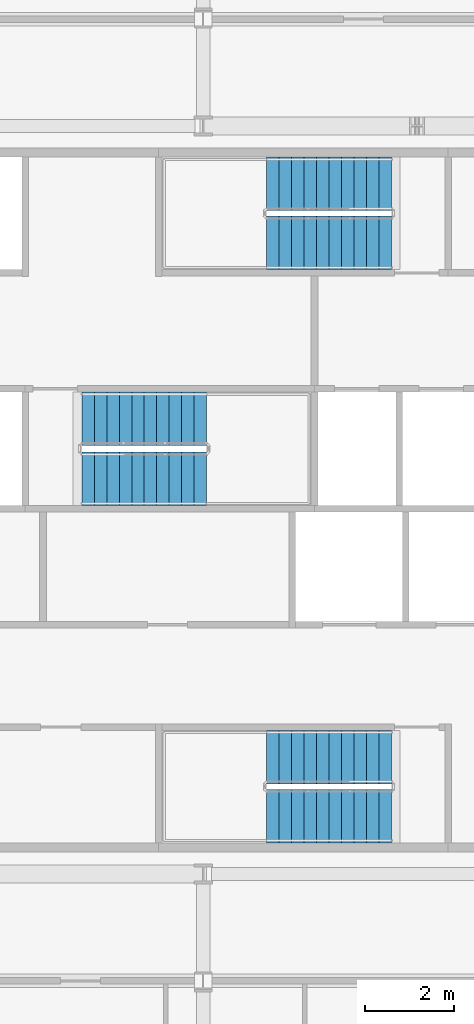
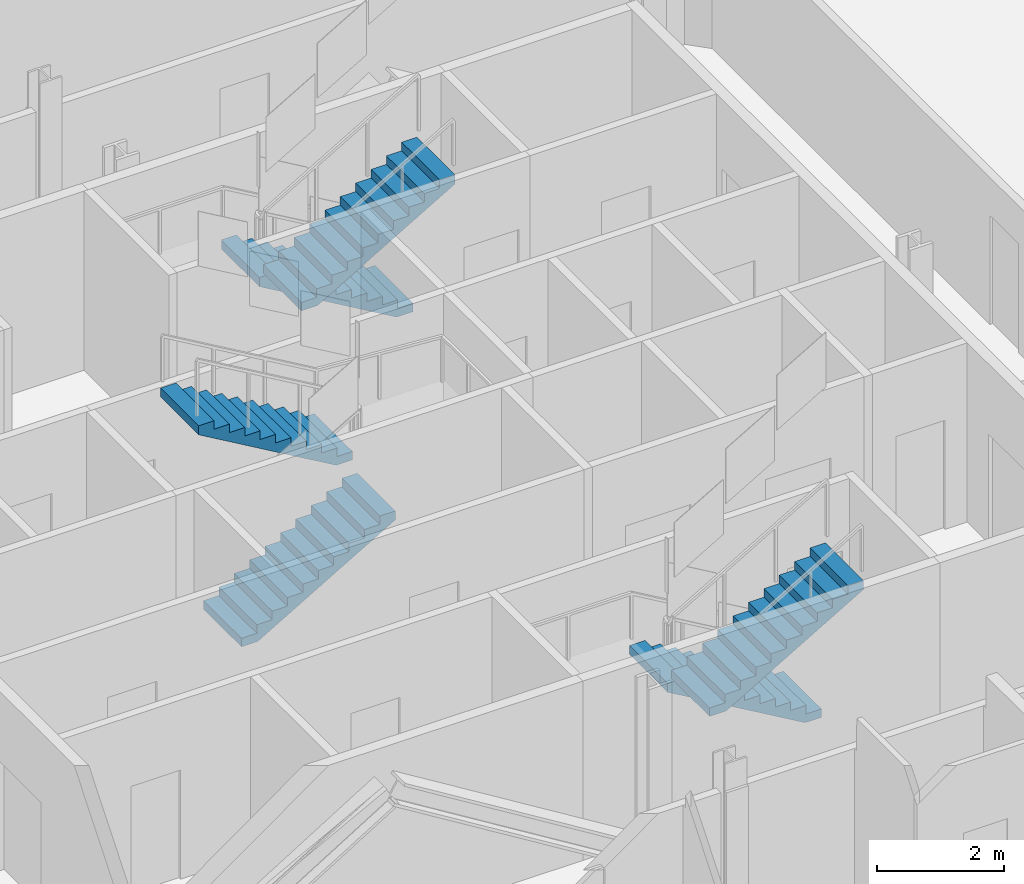
# One storey, part 14 of 20: 6 stair flights, 3 elements without a shape of their own.
"""IFC4 building model written with IfcOpenShell, lengths in metres."""

from ifc_helpers import new_model, si_unit, direction, frame, origin, place, context, subcontext, project, spatial, polyline, outline, extrude, material, type_object, element, aggregate, save


model = new_model("IFC4")

# Units and contexts
model_context = context("Model", 3, precision=1e-05, world=origin(), true_north=direction((0.0, 1.0)))
body_context = subcontext(model_context, "Body", "Model", "MODEL_VIEW")
ifc_project = project(units=[si_unit("LENGTHUNIT", "METRE"), si_unit("AREAUNIT", "SQUARE_METRE"), si_unit("VOLUMEUNIT", "CUBIC_METRE"), si_unit("PLANEANGLEUNIT", "RADIAN"), si_unit("MASSUNIT", "GRAM", prefix="KILO")], contexts=[model_context])

# Site, building, storey
site_placement = place(None, origin())
site = spatial("IfcSite", under=ifc_project, at=site_placement, CompositionType="ELEMENT")
building_placement = place(site_placement, origin())
building = spatial("IfcBuilding", under=site, at=building_placement, Name="Cairn Pilgrim Tower", CompositionType="ELEMENT")
storey_placement = place(building_placement, frame((0.0, 0.0, 165.0)))
storey = spatial("IfcBuildingStorey", under=building, at=storey_placement, Name="L41", CompositionType="ELEMENT", Elevation=165.0)

# Stair, stair flights
ifc_material = material(Name="Concrete C32/40", Category="concrete")
stair_type = type_object("IfcStairType", Name="EXIT STAIR 1200", PredefinedType="HALF_TURN_STAIR", material=ifc_material)
stair_1_placement = place(storey_placement, origin())
stair_1 = element("IfcStair", 1, at=stair_1_placement, inside=storey, type_object=stair_type, Name="L41 Exit Stair A", PredefinedType="HALF_TURN_STAIR")
stair_flight_type = type_object("IfcStairFlightType", Name="STAIR FLIGHT 1200", PredefinedType="STRAIGHT", material=ifc_material)
stair_flight_1_placement = place(storey_placement, frame((11.425048828125, -3.375, 0.0), z_axis=(0.0, 0.0, 1.0), x_axis=(-1.0, 0.0, 0.0)))
stair_flight_1 = element("IfcStairFlight", 2, at=stair_flight_1_placement, type_object=stair_flight_type, Name="ST-A flight 1", NumberOfRisers=11, NumberOfTreads=10, PredefinedType="STRAIGHT", RiserHeight=0.163636364, TreadLength=0.28, context=body_context, shape_type="SweptSolid", body=[
    extrude(outline(polyline([(0.0, 0.0), (0.0, 0.16357421875), (0.280029296875, 0.16357421875), (0.280029296875, 0.327392578125), (0.56005859375, 0.327392578125), (0.56005859375, 0.490966796875), (0.840087890625, 0.490966796875), (0.840087890625, 0.654541015625), (1.1201171875, 0.654541015625), (1.1201171875, 0.818115234375), (1.39990234375, 0.818115234375), (1.39990234375, 0.98193359375), (1.679931640625, 0.98193359375), (1.679931640625, 1.1455078125), (1.9599609375, 1.1455078125), (1.9599609375, 1.30908203125), (2.239990234375, 1.30908203125), (2.239990234375, 1.47265625), (2.52001953125, 1.47265625), (2.52001953125, 1.636474609375), (2.800048828125, 1.636474609375), (2.800048828125, 1.800048828125), (2.800048828125, 1.462646484375), (0.297119140625, 0.0), (0.0, 0.0)])), frame((0.0, 0.60009765625, 0.0), z_axis=(0.0, -1.0, 0.0), x_axis=(1.0, 0.0, 0.0)), (0.0, 0.0, 1.0), 1.199951171875),
])
stair_flight_2_placement = place(storey_placement, frame((8.625, -4.699951171875, 1.800048828125), z_axis=(0.0, 0.0, 1.0), x_axis=(1.0, 0.0, 0.0)))
stair_flight_2 = element("IfcStairFlight", 3, at=stair_flight_2_placement, type_object=stair_flight_type, Name="ST-A flight 2", NumberOfRisers=11, NumberOfTreads=10, PredefinedType="STRAIGHT", RiserHeight=0.163636364, TreadLength=0.28, context=body_context, shape_type="SweptSolid", body=[
    extrude(outline(polyline([(0.0, 0.0), (0.0, 0.16357421875), (0.280029296875, 0.16357421875), (0.280029296875, 0.327392578125), (0.56005859375, 0.327392578125), (0.56005859375, 0.490966796875), (0.840087890625, 0.490966796875), (0.840087890625, 0.654541015625), (1.1201171875, 0.654541015625), (1.1201171875, 0.818115234375), (1.39990234375, 0.818115234375), (1.39990234375, 0.98193359375), (1.679931640625, 0.98193359375), (1.679931640625, 1.1455078125), (1.9599609375, 1.1455078125), (1.9599609375, 1.30908203125), (2.239990234375, 1.30908203125), (2.239990234375, 1.47265625), (2.52001953125, 1.47265625), (2.52001953125, 1.636474609375), (2.800048828125, 1.636474609375), (2.800048828125, 1.800048828125), (2.800048828125, 1.462646484375), (0.297119140625, 0.0), (0.0, 0.0)])), frame((0.0, 0.60009765625, 0.0), z_axis=(0.0, -1.0, 0.0), x_axis=(1.0, 0.0, 0.0)), (0.0, 0.0, 1.0), 1.199951171875),
])
aggregate(stair_1, [stair_flight_1, stair_flight_2])

stair_2_placement = place(storey_placement, origin())
stair_2 = element("IfcStair", 4, at=stair_2_placement, inside=storey, type_object=stair_type, Name="L41 Exit Stair B", PredefinedType="HALF_TURN_STAIR")
stair_flight_3_placement = place(storey_placement, frame((4.47509765625, 2.875, 0.0), z_axis=(0.0, 0.0, 1.0), x_axis=(1.0, 0.0, 0.0)))
stair_flight_3 = element("IfcStairFlight", 5, at=stair_flight_3_placement, type_object=stair_flight_type, Name="ST-B flight 1", NumberOfRisers=11, NumberOfTreads=10, PredefinedType="STRAIGHT", RiserHeight=0.163636364, TreadLength=0.28, context=body_context, shape_type="SweptSolid", body=[
    extrude(outline(polyline([(0.0, 0.0), (0.0, 0.16357421875), (0.280029296875, 0.16357421875), (0.280029296875, 0.327392578125), (0.56005859375, 0.327392578125), (0.56005859375, 0.490966796875), (0.840087890625, 0.490966796875), (0.840087890625, 0.654541015625), (1.1201171875, 0.654541015625), (1.1201171875, 0.818115234375), (1.39990234375, 0.818115234375), (1.39990234375, 0.98193359375), (1.679931640625, 0.98193359375), (1.679931640625, 1.1455078125), (1.9599609375, 1.1455078125), (1.9599609375, 1.30908203125), (2.239990234375, 1.30908203125), (2.239990234375, 1.47265625), (2.52001953125, 1.47265625), (2.52001953125, 1.636474609375), (2.800048828125, 1.636474609375), (2.800048828125, 1.800048828125), (2.800048828125, 1.462646484375), (0.297119140625, 0.0), (0.0, 0.0)])), frame((0.0, 0.60009765625, 0.0), z_axis=(0.0, -1.0, 0.0), x_axis=(1.0, 0.0, 0.0)), (0.0, 0.0, 1.0), 1.199951171875),
])
stair_flight_4_placement = place(storey_placement, frame((7.27490234375, 4.22509765625, 1.800048828125), z_axis=(0.0, 0.0, 1.0), x_axis=(-1.0, 0.0, 0.0)))
stair_flight_4 = element("IfcStairFlight", 6, at=stair_flight_4_placement, type_object=stair_flight_type, Name="ST-B flight 2", NumberOfRisers=11, NumberOfTreads=10, PredefinedType="STRAIGHT", RiserHeight=0.163636364, TreadLength=0.28, context=body_context, shape_type="SweptSolid", body=[
    extrude(outline(polyline([(0.0, 0.0), (0.0, 0.16357421875), (0.280029296875, 0.16357421875), (0.280029296875, 0.327392578125), (0.56005859375, 0.327392578125), (0.56005859375, 0.490966796875), (0.840087890625, 0.490966796875), (0.840087890625, 0.654541015625), (1.1201171875, 0.654541015625), (1.1201171875, 0.818115234375), (1.39990234375, 0.818115234375), (1.39990234375, 0.98193359375), (1.679931640625, 0.98193359375), (1.679931640625, 1.1455078125), (1.9599609375, 1.1455078125), (1.9599609375, 1.30908203125), (2.239990234375, 1.30908203125), (2.239990234375, 1.47265625), (2.52001953125, 1.47265625), (2.52001953125, 1.636474609375), (2.800048828125, 1.636474609375), (2.800048828125, 1.800048828125), (2.800048828125, 1.462646484375), (0.297119140625, 0.0), (0.0, 0.0)])), frame((0.0, 0.60009765625, 0.0), z_axis=(0.0, -1.0, 0.0), x_axis=(1.0, 0.0, 0.0)), (0.0, 0.0, 1.0), 1.199951171875),
])
aggregate(stair_2, [stair_flight_3, stair_flight_4])

stair_3_placement = place(storey_placement, origin())
stair_3 = element("IfcStair", 7, at=stair_3_placement, inside=storey, type_object=stair_type, Name="L41 Exit Stair C", PredefinedType="HALF_TURN_STAIR")
stair_flight_5_placement = place(storey_placement, frame((11.425048828125, 9.5, 0.0), z_axis=(0.0, 0.0, 1.0), x_axis=(-1.0, 0.0, 0.0)))
stair_flight_5 = element("IfcStairFlight", 8, at=stair_flight_5_placement, type_object=stair_flight_type, Name="ST-C flight 1", NumberOfRisers=11, NumberOfTreads=10, PredefinedType="STRAIGHT", RiserHeight=0.163636364, TreadLength=0.28, context=body_context, shape_type="SweptSolid", body=[
    extrude(outline(polyline([(0.0, 0.0), (0.0, 0.16357421875), (0.280029296875, 0.16357421875), (0.280029296875, 0.327392578125), (0.56005859375, 0.327392578125), (0.56005859375, 0.490966796875), (0.840087890625, 0.490966796875), (0.840087890625, 0.654541015625), (1.1201171875, 0.654541015625), (1.1201171875, 0.818115234375), (1.39990234375, 0.818115234375), (1.39990234375, 0.98193359375), (1.679931640625, 0.98193359375), (1.679931640625, 1.1455078125), (1.9599609375, 1.1455078125), (1.9599609375, 1.30908203125), (2.239990234375, 1.30908203125), (2.239990234375, 1.47265625), (2.52001953125, 1.47265625), (2.52001953125, 1.636474609375), (2.800048828125, 1.636474609375), (2.800048828125, 1.800048828125), (2.800048828125, 1.462646484375), (0.297119140625, 0.0), (0.0, 0.0)])), frame((0.0, 0.60009765625, 0.0), z_axis=(0.0, -1.0, 0.0), x_axis=(1.0, 0.0, 0.0)), (0.0, 0.0, 1.0), 1.199951171875),
])
stair_flight_6_placement = place(storey_placement, frame((8.625, 8.175048828125, 1.800048828125), z_axis=(0.0, 0.0, 1.0), x_axis=(1.0, 0.0, 0.0)))
stair_flight_6 = element("IfcStairFlight", 9, at=stair_flight_6_placement, type_object=stair_flight_type, Name="ST-C flight 2", NumberOfRisers=11, NumberOfTreads=10, PredefinedType="STRAIGHT", RiserHeight=0.163636364, TreadLength=0.28, context=body_context, shape_type="SweptSolid", body=[
    extrude(outline(polyline([(0.0, 0.0), (0.0, 0.16357421875), (0.280029296875, 0.16357421875), (0.280029296875, 0.327392578125), (0.56005859375, 0.327392578125), (0.56005859375, 0.490966796875), (0.840087890625, 0.490966796875), (0.840087890625, 0.654541015625), (1.1201171875, 0.654541015625), (1.1201171875, 0.818115234375), (1.39990234375, 0.818115234375), (1.39990234375, 0.98193359375), (1.679931640625, 0.98193359375), (1.679931640625, 1.1455078125), (1.9599609375, 1.1455078125), (1.9599609375, 1.30908203125), (2.239990234375, 1.30908203125), (2.239990234375, 1.47265625), (2.52001953125, 1.47265625), (2.52001953125, 1.636474609375), (2.800048828125, 1.636474609375), (2.800048828125, 1.800048828125), (2.800048828125, 1.462646484375), (0.297119140625, 0.0), (0.0, 0.0)])), frame((0.0, 0.60009765625, 0.0), z_axis=(0.0, -1.0, 0.0), x_axis=(1.0, 0.0, 0.0)), (0.0, 0.0, 1.0), 1.199951171875),
])
aggregate(stair_3, [stair_flight_5, stair_flight_6])

save(model, "model.ifc")
